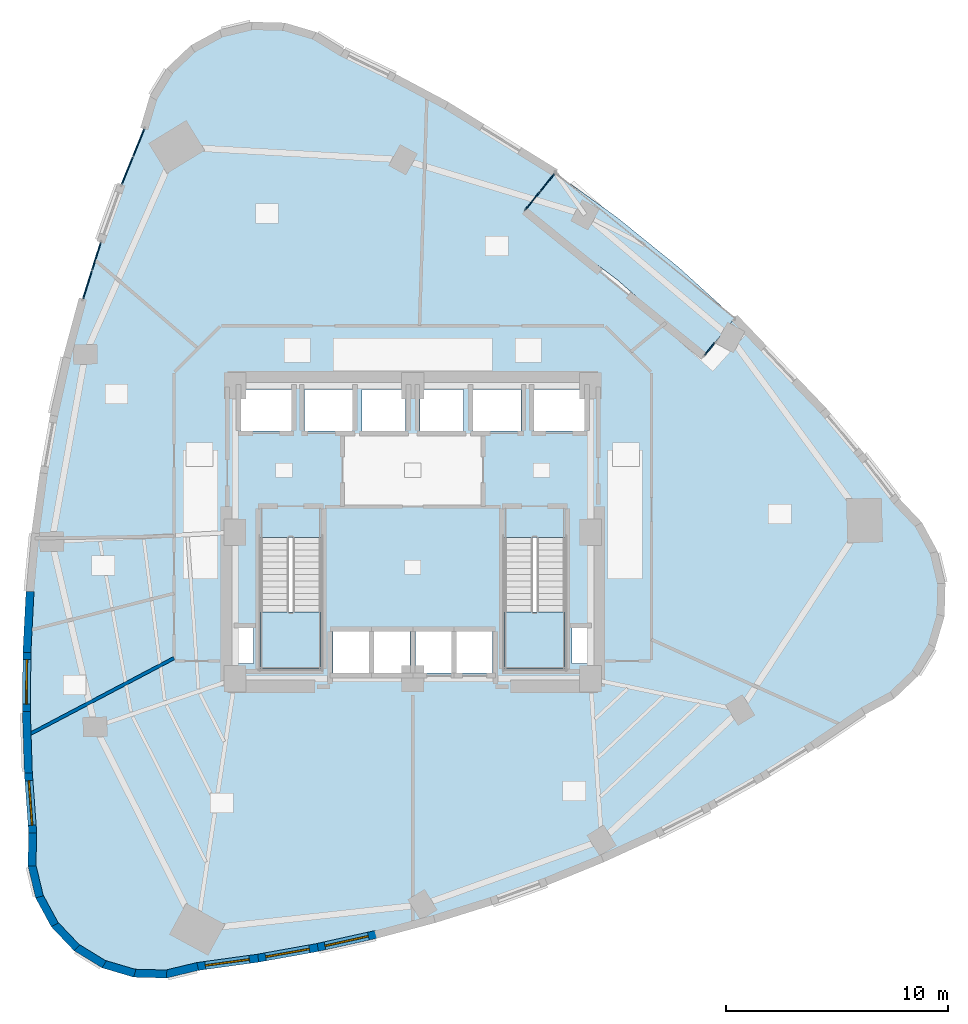
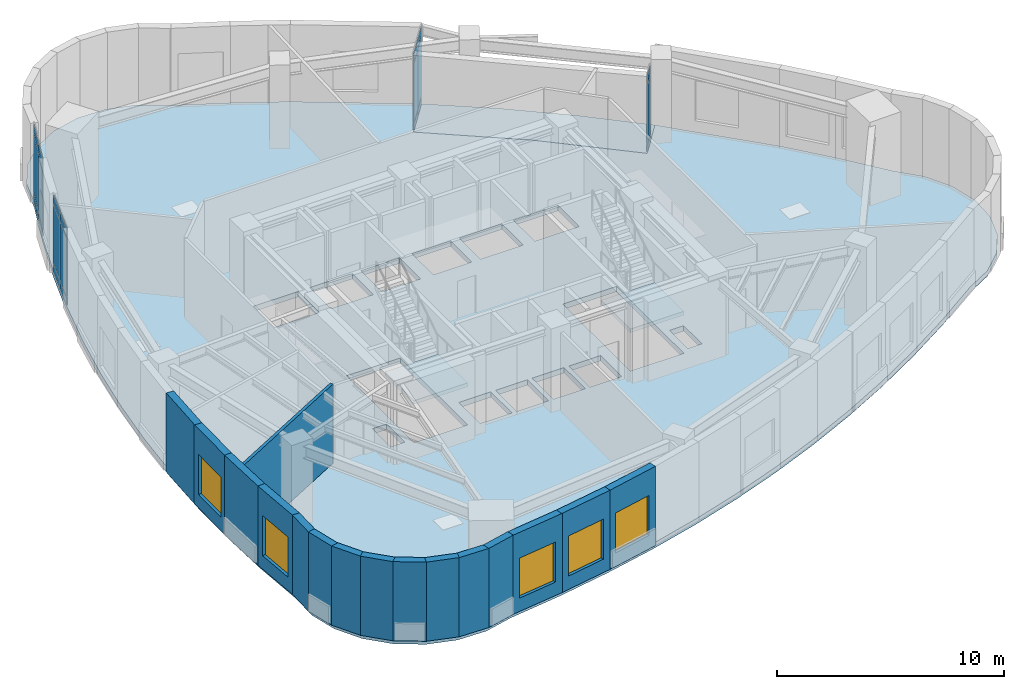
# One storey, part 10 of 16: 21 plates, 16 walls, 5 windows, 4 slabs, 5 openings, 6 elements without a shape of their own.
"""IFC4 building model written with IfcOpenShell, lengths in metres."""

from ifc_helpers import new_model, si_unit, direction, frame, frame_2d, origin, origin_2d, place, context, subcontext, project, spatial, polyline, rectangle, outline, extrude, material, layer, layer_set, type_object, element, fill, aggregate, save


model = new_model("IFC4")

# Units and contexts
model_context = context("Model", 3, precision=1e-05, world=origin(), true_north=direction((0.0, 1.0)))
body_context = subcontext(model_context, "Body", "Model", "MODEL_VIEW")
ifc_project = project(units=[si_unit("LENGTHUNIT", "METRE"), si_unit("AREAUNIT", "SQUARE_METRE"), si_unit("VOLUMEUNIT", "CUBIC_METRE"), si_unit("PLANEANGLEUNIT", "RADIAN"), si_unit("MASSUNIT", "GRAM", prefix="KILO")], contexts=[model_context])

# Site, building, storey
site_placement = place(None, origin())
site = spatial("IfcSite", under=ifc_project, at=site_placement, CompositionType="ELEMENT")
building_placement = place(site_placement, origin())
building = spatial("IfcBuilding", under=site, at=building_placement, Name="Ndelora Gate Hotel", CompositionType="ELEMENT")
storey_placement = place(building_placement, frame((0.0, 0.0, 92.75)))
storey = spatial("IfcBuildingStorey", under=building, at=storey_placement, Name="L22", CompositionType="ELEMENT", Elevation=92.75)

# Curtain wall, plates
ifc_material_1 = material(Name="Bronze Anodised Unitised Aluminium and Low-E Glass", Category="aluminium")
ifc_layer_1 = layer(ifc_material_1, 0.199951171875)
ifc_layer_set_1 = layer_set([ifc_layer_1], Name="Bronze Anodised Unitised Aluminium and Low-E Glass")
curtain_wall_type_1 = type_object("IfcCurtainWallType", Name="CW-SYS-3", PredefinedType="NOTDEFINED", material=ifc_layer_set_1)
curtain_wall_1_placement = place(storey_placement, origin())
curtain_wall_1 = element("IfcCurtainWall", 1, at=curtain_wall_1_placement, inside=storey, type_object=curtain_wall_type_1, Name="L22 Sky-Garden Loggia Side Curtain Wall CW3-1", PredefinedType="NOTDEFINED")
ifc_material_2 = material(Name="Solar-Control Low-E Insulated Glazing", Category="glass")
ifc_layer_2 = layer(ifc_material_2, 0.048095703125)
ifc_layer_set_2 = layer_set([ifc_layer_2], Name="Solar-Control Low-E Insulated Glazing")
plate_type = type_object("IfcPlateType", Name="PL-CW-GLZ36", PredefinedType="CURTAIN_PANEL", material=ifc_layer_set_2)
plate_1_placement = place(storey_placement, frame((13.3662109375, 8.242919921875, 0.05908203125), z_axis=(0.0, 0.0, 1.0), x_axis=(0.629355648382, 0.777117409308, 0.0)))
plate_1 = element("IfcPlate", 2, at=plate_1_placement, type_object=plate_type, Name="CW3 panel 1.1", PredefinedType="CURTAIN_PANEL", context=body_context, shape_type="SweptSolid", body=[
    extrude(rectangle(XDim=0.68603515625, YDim=0.048095703125, at=origin_2d()), origin(), (0.0, 0.0, 1.0), 0.364501953125),
])
plate_2_placement = place(storey_placement, frame((13.3662109375, 8.242919921875, 0.4765625), z_axis=(0.0, 0.0, 1.0), x_axis=(0.629355648382, 0.777117409308, 0.0)))
plate_2 = element("IfcPlate", 3, at=plate_2_placement, type_object=plate_type, Name="CW3 panel 1.2", PredefinedType="CURTAIN_PANEL", context=body_context, shape_type="SweptSolid", body=[
    extrude(rectangle(XDim=0.68603515625, YDim=0.048095703125, at=origin_2d()), origin(), (0.0, 0.0, 1.0), 3.197021484375),
])
plate_3_placement = place(storey_placement, frame((13.3662109375, 8.242919921875, 3.7265625), z_axis=(0.0, 0.0, 1.0), x_axis=(0.629355648382, 0.777117409308, 0.0)))
plate_3 = element("IfcPlate", 4, at=plate_3_placement, type_object=plate_type, Name="CW3 panel 1.3", PredefinedType="CURTAIN_PANEL", context=body_context, shape_type="SweptSolid", body=[
    extrude(rectangle(XDim=0.68603515625, YDim=0.048095703125, at=origin_2d()), origin(), (0.0, 0.0, 1.0), 0.464599609375),
])
aggregate(curtain_wall_1, [plate_1, plate_2, plate_3])

curtain_wall_2_placement = place(storey_placement, origin())
curtain_wall_2 = element("IfcCurtainWall", 5, at=curtain_wall_2_placement, inside=storey, type_object=curtain_wall_type_1, Name="L22 Sky-Garden Loggia Side Curtain Wall CW3-2", PredefinedType="NOTDEFINED")
plate_4_placement = place(storey_placement, frame((6.05908203125, 15.7451171875, 0.05908203125), z_axis=(0.0, 0.0, 1.0), x_axis=(-0.629323750841, -0.77714324074, 0.0)))
plate_4 = element("IfcPlate", 6, at=plate_4_placement, type_object=plate_type, Name="CW3 panel 1.1", PredefinedType="CURTAIN_PANEL", context=body_context, shape_type="SweptSolid", body=[
    extrude(rectangle(XDim=1.014404296875, YDim=0.048095703125, at=origin_2d()), origin(), (0.0, 0.0, 1.0), 0.364501953125),
])
plate_5_placement = place(storey_placement, frame((6.05908203125, 15.7451171875, 0.4765625), z_axis=(0.0, 0.0, 1.0), x_axis=(-0.629323750841, -0.77714324074, 0.0)))
plate_5 = element("IfcPlate", 7, at=plate_5_placement, type_object=plate_type, Name="CW3 panel 1.2", PredefinedType="CURTAIN_PANEL", context=body_context, shape_type="SweptSolid", body=[
    extrude(rectangle(XDim=1.014404296875, YDim=0.048095703125, at=origin_2d()), origin(), (0.0, 0.0, 1.0), 3.197021484375),
])
plate_6_placement = place(storey_placement, frame((6.05908203125, 15.7451171875, 3.7265625), z_axis=(0.0, 0.0, 1.0), x_axis=(-0.629323750841, -0.77714324074, 0.0)))
plate_6 = element("IfcPlate", 8, at=plate_6_placement, type_object=plate_type, Name="CW3 panel 1.3", PredefinedType="CURTAIN_PANEL", context=body_context, shape_type="SweptSolid", body=[
    extrude(rectangle(XDim=1.014404296875, YDim=0.048095703125, at=origin_2d()), origin(), (0.0, 0.0, 1.0), 0.464599609375),
])
plate_7_placement = place(storey_placement, frame((5.38720703125, 14.91552734375, 0.05908203125), z_axis=(0.0, 0.0, 1.0), x_axis=(-0.629323750841, -0.77714324074, 0.0)))
plate_7 = element("IfcPlate", 9, at=plate_7_placement, type_object=plate_type, Name="CW3 panel 2.1", PredefinedType="CURTAIN_PANEL", context=body_context, shape_type="SweptSolid", body=[
    extrude(rectangle(XDim=1.014404296875, YDim=0.048095703125, at=origin_2d()), origin(), (0.0, 0.0, 1.0), 0.364501953125),
])
plate_8_placement = place(storey_placement, frame((5.38720703125, 14.91552734375, 0.4765625), z_axis=(0.0, 0.0, 1.0), x_axis=(-0.629323750841, -0.77714324074, 0.0)))
plate_8 = element("IfcPlate", 10, at=plate_8_placement, type_object=plate_type, Name="CW3 panel 2.2", PredefinedType="CURTAIN_PANEL", context=body_context, shape_type="SweptSolid", body=[
    extrude(rectangle(XDim=1.014404296875, YDim=0.048095703125, at=origin_2d()), origin(), (0.0, 0.0, 1.0), 3.197021484375),
])
plate_9_placement = place(storey_placement, frame((5.38720703125, 14.91552734375, 3.7265625), z_axis=(0.0, 0.0, 1.0), x_axis=(-0.629323750841, -0.77714324074, 0.0)))
plate_9 = element("IfcPlate", 11, at=plate_9_placement, type_object=plate_type, Name="CW3 panel 2.3", PredefinedType="CURTAIN_PANEL", context=body_context, shape_type="SweptSolid", body=[
    extrude(rectangle(XDim=1.014404296875, YDim=0.048095703125, at=origin_2d()), origin(), (0.0, 0.0, 1.0), 0.464599609375),
])
aggregate(curtain_wall_2, [plate_4, plate_5, plate_6, plate_7, plate_8, plate_9])

ifc_layer_3 = layer(ifc_material_1, 0.2099609375)
ifc_layer_set_3 = layer_set([ifc_layer_3], Name="Bronze Anodised Unitised Aluminium and Low-E Glass")
curtain_wall_type_2 = type_object("IfcCurtainWallType", Name="CW-SYS-4", PredefinedType="NOTDEFINED", material=ifc_layer_set_3)
curtain_wall_3_placement = place(storey_placement, origin())
curtain_wall_3 = element("IfcCurtainWall", 12, at=curtain_wall_3_placement, inside=storey, type_object=curtain_wall_type_2, Name="L22 Lower Sky-Lobby & Highland Spa Curtain Wall 1", PredefinedType="NOTDEFINED")
plate_10_placement = place(storey_placement, frame((-12.345458984375, 17.545166015625, 0.05908203125), z_axis=(0.0, 0.0, 1.0), x_axis=(-0.377189908674, -0.926135936455, 0.0)))
plate_10 = element("IfcPlate", 13, at=plate_10_placement, type_object=plate_type, Name="CW4 panel 1.1", PredefinedType="CURTAIN_PANEL", context=body_context, shape_type="SweptSolid", body=[
    extrude(rectangle(XDim=1.31005859375, YDim=0.048095703125, at=origin_2d()), origin(), (0.0, 0.0, 1.0), 0.41455078125),
])
plate_11_placement = place(storey_placement, frame((-12.345458984375, 17.545166015625, 0.526611328125), z_axis=(0.0, 0.0, 1.0), x_axis=(-0.377189908674, -0.926135936455, 0.0)))
plate_11 = element("IfcPlate", 14, at=plate_11_placement, type_object=plate_type, Name="CW4 panel 1.2", PredefinedType="CURTAIN_PANEL", context=body_context, shape_type="SweptSolid", body=[
    extrude(rectangle(XDim=1.31005859375, YDim=0.048095703125, at=origin_2d()), origin(), (0.0, 0.0, 1.0), 3.14697265625),
])
plate_12_placement = place(storey_placement, frame((-12.345458984375, 17.545166015625, 3.7265625), z_axis=(0.0, 0.0, 1.0), x_axis=(-0.377189908674, -0.926135936455, 0.0)))
plate_12 = element("IfcPlate", 15, at=plate_12_placement, type_object=plate_type, Name="CW4 panel 1.3", PredefinedType="CURTAIN_PANEL", context=body_context, shape_type="SweptSolid", body=[
    extrude(rectangle(XDim=1.31005859375, YDim=0.048095703125, at=origin_2d()), origin(), (0.0, 0.0, 1.0), 0.464599609375),
])
plate_13_placement = place(storey_placement, frame((-12.859619140625, 16.28271484375, 0.05908203125), z_axis=(0.0, 0.0, 1.0), x_axis=(-0.377189908674, -0.926135936455, 0.0)))
plate_13 = element("IfcPlate", 16, at=plate_13_placement, type_object=plate_type, Name="CW4 panel 2.1", PredefinedType="CURTAIN_PANEL", context=body_context, shape_type="SweptSolid", body=[
    extrude(rectangle(XDim=1.31005859375, YDim=0.048095703125, at=origin_2d()), origin(), (0.0, 0.0, 1.0), 0.41455078125),
])
plate_14_placement = place(storey_placement, frame((-12.859619140625, 16.28271484375, 0.526611328125), z_axis=(0.0, 0.0, 1.0), x_axis=(-0.377189908674, -0.926135936455, 0.0)))
plate_14 = element("IfcPlate", 17, at=plate_14_placement, type_object=plate_type, Name="CW4 panel 2.2", PredefinedType="CURTAIN_PANEL", context=body_context, shape_type="SweptSolid", body=[
    extrude(rectangle(XDim=1.31005859375, YDim=0.048095703125, at=origin_2d()), origin(), (0.0, 0.0, 1.0), 3.14697265625),
])
plate_15_placement = place(storey_placement, frame((-12.859619140625, 16.28271484375, 3.7265625), z_axis=(0.0, 0.0, 1.0), x_axis=(-0.377189908674, -0.926135936455, 0.0)))
plate_15 = element("IfcPlate", 18, at=plate_15_placement, type_object=plate_type, Name="CW4 panel 2.3", PredefinedType="CURTAIN_PANEL", context=body_context, shape_type="SweptSolid", body=[
    extrude(rectangle(XDim=1.31005859375, YDim=0.048095703125, at=origin_2d()), origin(), (0.0, 0.0, 1.0), 0.464599609375),
])
aggregate(curtain_wall_3, [plate_10, plate_11, plate_12, plate_13, plate_14, plate_15])

curtain_wall_4_placement = place(storey_placement, origin())
curtain_wall_4 = element("IfcCurtainWall", 19, at=curtain_wall_4_placement, inside=storey, type_object=curtain_wall_type_2, Name="L22 Lower Sky-Lobby & Highland Spa Curtain Wall 2", PredefinedType="NOTDEFINED")
plate_16_placement = place(storey_placement, frame((-14.251708984375, 12.42236328125, 0.05908203125), z_axis=(0.0, 0.0, 1.0), x_axis=(-0.300093381343, -0.95390982932, 0.0)))
plate_16 = element("IfcPlate", 20, at=plate_16_placement, type_object=plate_type, Name="CW4 panel 1.1", PredefinedType="CURTAIN_PANEL", context=body_context, shape_type="SweptSolid", body=[
    extrude(rectangle(XDim=1.288818359375, YDim=0.048095703125, at=origin_2d()), origin(), (0.0, 0.0, 1.0), 0.41455078125),
])
plate_17_placement = place(storey_placement, frame((-14.251708984375, 12.42236328125, 0.526611328125), z_axis=(0.0, 0.0, 1.0), x_axis=(-0.300093381343, -0.95390982932, 0.0)))
plate_17 = element("IfcPlate", 21, at=plate_17_placement, type_object=plate_type, Name="CW4 panel 1.2", PredefinedType="CURTAIN_PANEL", context=body_context, shape_type="SweptSolid", body=[
    extrude(rectangle(XDim=1.288818359375, YDim=0.048095703125, at=origin_2d()), origin(), (0.0, 0.0, 1.0), 3.14697265625),
])
plate_18_placement = place(storey_placement, frame((-14.251708984375, 12.42236328125, 3.7265625), z_axis=(0.0, 0.0, 1.0), x_axis=(-0.300093381343, -0.95390982932, 0.0)))
plate_18 = element("IfcPlate", 22, at=plate_18_placement, type_object=plate_type, Name="CW4 panel 1.3", PredefinedType="CURTAIN_PANEL", context=body_context, shape_type="SweptSolid", body=[
    extrude(rectangle(XDim=1.288818359375, YDim=0.048095703125, at=origin_2d()), origin(), (0.0, 0.0, 1.0), 0.464599609375),
])
plate_19_placement = place(storey_placement, frame((-14.654541015625, 11.142333984375, 0.05908203125), z_axis=(0.0, 0.0, 1.0), x_axis=(-0.300093381343, -0.95390982932, 0.0)))
plate_19 = element("IfcPlate", 23, at=plate_19_placement, type_object=plate_type, Name="CW4 panel 2.1", PredefinedType="CURTAIN_PANEL", context=body_context, shape_type="SweptSolid", body=[
    extrude(rectangle(XDim=1.288818359375, YDim=0.048095703125, at=origin_2d()), origin(), (0.0, 0.0, 1.0), 0.41455078125),
])
plate_20_placement = place(storey_placement, frame((-14.654541015625, 11.142333984375, 0.526611328125), z_axis=(0.0, 0.0, 1.0), x_axis=(-0.300093381343, -0.95390982932, 0.0)))
plate_20 = element("IfcPlate", 24, at=plate_20_placement, type_object=plate_type, Name="CW4 panel 2.2", PredefinedType="CURTAIN_PANEL", context=body_context, shape_type="SweptSolid", body=[
    extrude(rectangle(XDim=1.288818359375, YDim=0.048095703125, at=origin_2d()), origin(), (0.0, 0.0, 1.0), 3.14697265625),
])
plate_21_placement = place(storey_placement, frame((-14.654541015625, 11.142333984375, 3.7265625), z_axis=(0.0, 0.0, 1.0), x_axis=(-0.300093381343, -0.95390982932, 0.0)))
plate_21 = element("IfcPlate", 25, at=plate_21_placement, type_object=plate_type, Name="CW4 panel 2.3", PredefinedType="CURTAIN_PANEL", context=body_context, shape_type="SweptSolid", body=[
    extrude(rectangle(XDim=1.288818359375, YDim=0.048095703125, at=origin_2d()), origin(), (0.0, 0.0, 1.0), 0.464599609375),
])
aggregate(curtain_wall_4, [plate_16, plate_17, plate_18, plate_19, plate_20, plate_21])

# Stair, slab
ifc_material_3 = material(Name="Precast concrete C40/50", Category="concrete")
stair_type = type_object("IfcStairType", Name="STR-DOG-CORE", PredefinedType="HALF_TURN_STAIR", material=ifc_material_3)
stair_1_placement = place(storey_placement, origin())
stair_1 = element("IfcStair", 26, at=stair_1_placement, inside=storey, type_object=stair_type, Name="L22 Protected Core Exit Stair ST4", PredefinedType="HALF_TURN_STAIR")
ifc_layer_4 = layer(ifc_material_3, 0.219970703125)
ifc_layer_set_4 = layer_set([ifc_layer_4], Name="Precast concrete C40/50")
slab_type_1 = type_object("IfcSlabType", Name="SL-LAND-220", PredefinedType="LANDING", material=ifc_layer_set_4)
slab_1_placement = place(storey_placement, frame((0.0, 0.0, 2.050048828125)))
slab_1 = element("IfcSlab", 27, at=slab_1_placement, type_object=slab_type_1, Name="ST4 landing 1", PredefinedType="LANDING", context=body_context, shape_type="SweptSolid", body=[
    extrude(outline(polyline([(-6.85009765625, -3.590087890625), (-6.85009765625, -6.14990234375), (-4.1298828125, -6.14990234375), (-4.1298828125, -3.590087890625), (-6.85009765625, -3.590087890625)])), origin(), (0.0, 0.0, 1.0), 0.199951171875),
])
aggregate(stair_1, [slab_1])

stair_2_placement = place(storey_placement, origin())
stair_2 = element("IfcStair", 28, at=stair_2_placement, inside=storey, type_object=stair_type, Name="L22 Protected Core Exit Stair ST5", PredefinedType="HALF_TURN_STAIR")
slab_2_placement = place(storey_placement, frame((0.0, 0.0, 2.050048828125)))
slab_2 = element("IfcSlab", 29, at=slab_2_placement, type_object=slab_type_1, Name="ST5 landing 1", PredefinedType="LANDING", context=body_context, shape_type="SweptSolid", body=[
    extrude(outline(polyline([(4.1298828125, -3.590087890625), (4.1298828125, -6.14990234375), (6.85009765625, -6.14990234375), (6.85009765625, -3.590087890625), (4.1298828125, -3.590087890625)])), origin(), (0.0, 0.0, 1.0), 0.199951171875),
])
aggregate(stair_2, [slab_2])

# Slabs
ifc_material_4 = material(Name="Concrete C50/60", Category="concrete")
ifc_layer_5 = layer(ifc_material_4, 0.2900390625)
ifc_layer_set_5 = layer_set([ifc_layer_5], Name="Concrete C50/60")
slab_type_2 = type_object("IfcSlabType", Name="SL-SKY-290", PredefinedType="FLOOR", material=ifc_layer_set_5)
slab_3_placement = place(storey_placement, frame((0.0, 0.0, -0.2900390625)))
element("IfcSlab", 30, at=slab_3_placement, inside=storey, type_object=slab_type_2, Name="L22 Structural Floor Slab", PredefinedType="FLOOR", context=body_context, shape_type="SweptSolid", body=[
    extrude(outline(polyline([(-3.190185546875, 21.601806640625), (-4.414306640625, 22.35205078125), (-5.791015625, 22.760009765625), (-7.226318359375, 22.79736328125), (-8.62255859375, 22.46240234375), (-9.88427734375, 21.777099609375), (-10.92578125, 20.788818359375), (-11.67578125, 19.564697265625), (-12.083740234375, 18.18798828125), (-13.12158203125, 15.639892578125), (-14.046630859375, 13.07421875), (-14.859619140625, 10.490478515625), (-15.559814453125, 7.88916015625), (-16.147705078125, 5.27001953125), (-16.623046875, 2.6328125), (-16.98583984375, -0.022216796875), (-17.236083984375, -2.69482421875), (-17.3740234375, -5.38525390625), (-17.3994140625, -8.093505859375), (-17.312255859375, -10.819580078125), (-17.11279296875, -13.563720703125), (-17.150390625, -14.9990234375), (-16.815185546875, -16.39501953125), (-16.1298828125, -17.656982421875), (-15.1416015625, -18.698486328125), (-13.91748046875, -19.448486328125), (-12.540771484375, -19.8564453125), (-11.10546875, -19.89404296875), (-9.70947265625, -19.558837890625), (-6.98388671875, -19.18359375), (-4.29931640625, -18.701904296875), (-1.6552734375, -18.114013671875), (0.94775390625, -17.419921875), (3.510009765625, -16.619140625), (6.031494140625, -15.71240234375), (8.511962890625, -14.69921875), (10.951904296875, -13.57958984375), (13.350830078125, -12.353759765625), (15.708984375, -11.021484375), (18.0263671875, -9.5830078125), (20.302734375, -8.0380859375), (21.564697265625, -7.35302734375), (22.606201171875, -6.36474609375), (23.356201171875, -5.140380859375), (23.76416015625, -3.763916015625), (23.8017578125, -2.32861328125), (23.466552734375, -0.9326171875), (22.781494140625, 0.329345703125), (21.793212890625, 1.370849609375), (20.17431640625, 3.458251953125), (18.4892578125, 5.46435546875), (14.497802734375, 9.640380859375), (13.11328125, 7.9306640625), (9.20703125, 11.369873046875), (5.031005859375, 14.4755859375), (6.415283203125, 16.185302734375), (1.500732421875, 19.221435546875), (-0.811767578125, 20.452392578125), (-3.190185546875, 21.601806640625)]), holes=[polyline([(-6.85009765625, -0.22998046875), (-6.85009765625, -6.14990234375), (-4.1298828125, -6.14990234375), (-4.1298828125, -0.22998046875), (-6.85009765625, -0.22998046875)]), polyline([(4.1298828125, -0.22998046875), (4.1298828125, -6.14990234375), (6.85009765625, -6.14990234375), (6.85009765625, -0.22998046875), (4.1298828125, -0.22998046875)]), polyline([(-7.72998046875, 4.570068359375), (-5.469970703125, 4.570068359375), (-5.469970703125, 6.429931640625), (-7.72998046875, 6.429931640625), (-7.72998046875, 4.570068359375)]), polyline([(5.469970703125, 4.570068359375), (7.72998046875, 4.570068359375), (7.72998046875, 6.429931640625), (5.469970703125, 6.429931640625), (5.469970703125, 4.570068359375)]), polyline([(-4.8798828125, 4.570068359375), (-2.719970703125, 4.570068359375), (-2.719970703125, 6.429931640625), (-4.8798828125, 6.429931640625), (-4.8798828125, 4.570068359375)]), polyline([(2.719970703125, 4.570068359375), (4.8798828125, 4.570068359375), (4.8798828125, 6.429931640625), (2.719970703125, 6.429931640625), (2.719970703125, 4.570068359375)]), polyline([(-3.60009765625, -6.330078125), (-1.97998046875, -6.330078125), (-1.97998046875, -4.469970703125), (-3.60009765625, -4.469970703125), (-3.60009765625, -6.330078125)]), polyline([(-1.739990234375, -6.330078125), (-0.1201171875, -6.330078125), (-0.1201171875, -4.469970703125), (-1.739990234375, -4.469970703125), (-1.739990234375, -6.330078125)]), polyline([(0.1201171875, -6.330078125), (1.739990234375, -6.330078125), (1.739990234375, -4.469970703125), (0.1201171875, -4.469970703125), (0.1201171875, -6.330078125)]), polyline([(1.97998046875, -6.330078125), (3.60009765625, -6.330078125), (3.60009765625, -4.469970703125), (1.97998046875, -4.469970703125), (1.97998046875, -6.330078125)]), polyline([(-2.280029296875, 4.570068359375), (-0.320068359375, 4.570068359375), (-0.320068359375, 6.429931640625), (-2.280029296875, 6.429931640625), (-2.280029296875, 4.570068359375)]), polyline([(0.320068359375, 4.570068359375), (2.280029296875, 4.570068359375), (2.280029296875, 6.429931640625), (0.320068359375, 6.429931640625), (0.320068359375, 4.570068359375)]), polyline([(-7.89990234375, -5.919921875), (-7.179931640625, -5.919921875), (-7.179931640625, -4.320068359375), (-7.89990234375, -4.320068359375), (-7.89990234375, -5.919921875)]), polyline([(7.179931640625, -5.919921875), (7.89990234375, -5.919921875), (7.89990234375, -4.320068359375), (7.179931640625, -4.320068359375), (7.179931640625, -5.919921875)])]), origin(), (0.0, 0.0, 1.0), 0.2900390625),
])
ifc_layer_6 = layer(ifc_material_3, 0.239990234375)
ifc_layer_set_6 = layer_set([ifc_layer_6], Name="Precast concrete C40/50")
slab_type_3 = type_object("IfcSlabType", Name="SL-TER-240", PredefinedType="FLOOR", material=ifc_layer_set_6)
slab_4_placement = place(storey_placement, frame((0.0, 0.0, -0.239990234375)))
element("IfcSlab", 31, at=slab_4_placement, inside=storey, type_object=slab_type_3, Name="L22 Sky Garden Loggia Terrace Slab", PredefinedType="FLOOR", context=body_context, shape_type="SweptSolid", body=[
    extrude(outline(polyline([(13.11328125, 7.9306640625), (14.497802734375, 9.640380859375), (11.949951171875, 11.947509765625), (9.201904296875, 14.1728515625), (6.415283203125, 16.185302734375), (5.031005859375, 14.4755859375), (9.20703125, 11.369873046875), (13.11328125, 7.9306640625)])), origin(), (0.0, 0.0, 1.0), 0.239990234375),
])

# Wall
ifc_material_5 = material(Name="Clay Brick Masonry", Category="masonry")
ifc_layer_7 = layer(ifc_material_5, 0.360107421875)
ifc_layer_set_7 = layer_set([ifc_layer_7], Name="Clay Brick Masonry")
wall_type_1 = type_object("IfcWallType", Name="WL-BRICK-360", PredefinedType="SOLIDWALL", material=ifc_layer_set_7)
wall_1_placement = place(storey_placement, frame((-17.375244140625, -5.410400390625, 0.0), z_axis=(0.0, 0.0, 1.0), x_axis=(0.051157869298, 0.998690578913, 0.0)))
element("IfcWall", 32, at=wall_1_placement, inside=storey, type_object=wall_type_1, Name="L22 Tower Brick Pier-and-Spandrel Wall TWR-17", PredefinedType="SOLIDWALL", context=body_context, shape_type="SweptSolid", body=[
    extrude(rectangle(XDim=2.744140625, YDim=0.360107421875, at=frame_2d((1.3720703125, 0.0))), origin(), (0.0, 0.0, 1.0), 4.25),
])

# Wall, opening, window
wall_2_placement = place(storey_placement, frame((-17.399658203125, -8.11865234375, 0.0), z_axis=(0.0, 0.0, 1.0), x_axis=(0.009381778629, 0.999955990146, 0.0)))
wall_2 = element("IfcWall", 33, at=wall_2_placement, inside=storey, type_object=wall_type_1, Name="L22 Tower Brick Pier-and-Spandrel Wall TWR-18", PredefinedType="SOLIDWALL", context=body_context, shape_type="SweptSolid", body=[
    extrude(rectangle(XDim=2.75830078125, YDim=0.360107421875, at=frame_2d((1.379150390625, 0.0))), origin(), (0.0, 0.0, 1.0), 4.25),
])
opening_1_placement = place(wall_2_placement, frame((0.379150390625, 0.0, 0.719970703125)))
opening_1 = element("IfcOpeningElement", 34, at=opening_1_placement, cuts=wall_2, Name="Opening W05", PredefinedType="OPENING", context=body_context, shape_type="SweptSolid", body=[
    extrude(rectangle(XDim=2.0, YDim=2.14990234375, at=frame_2d((1.0, 1.074951171875))), frame((0.0, 0.18994140625, 0.0), z_axis=(0.0, -1.0, 0.0), x_axis=(1.0, 0.0, 0.0)), (0.0, 0.0, 1.0), 0.380126953125),
])
ifc_material_6 = material(Name="Insulated Low-E Double Glazing in Bronze Aluminium Frame", Category="aluminium")
window_type = type_object("IfcWindowType", Name="WN-SKY-2000", PartitioningType="SINGLE_PANEL", PredefinedType="WINDOW", material=ifc_material_6)
window_1_placement = place(opening_1_placement, origin())
window_1 = element("IfcWindow", 35, at=window_1_placement, inside=storey, type_object=window_type, Name="L22 Deep-Set Brick-Pier Window W05", OverallHeight=2.14990234375, OverallWidth=2.0, PartitioningType="SINGLE_PANEL", PredefinedType="WINDOW", context=body_context, shape_type="SweptSolid", body=[
    extrude(rectangle(XDim=2.0, YDim=2.14990234375, at=frame_2d((1.0, 1.074951171875))), frame((0.0, 0.030029296875, 0.0), z_axis=(0.0, -1.0, 0.0), x_axis=(1.0, 0.0, 0.0)), (0.0, 0.0, 1.0), 0.06005859375),
])
fill(opening_1, window_1)

# Wall
wall_3_placement = place(storey_placement, frame((-17.3115234375, -10.8447265625, 0.0), z_axis=(0.0, 0.0, 1.0), x_axis=(-0.031907059623, 0.999490840151, 0.0)))
element("IfcWall", 36, at=wall_3_placement, inside=storey, type_object=wall_type_1, Name="L22 Tower Brick Pier-and-Spandrel Wall TWR-19", PredefinedType="SOLIDWALL", context=body_context, shape_type="SweptSolid", body=[
    extrude(rectangle(XDim=2.777587890625, YDim=0.360107421875, at=frame_2d((1.388671875, 0.0))), origin(), (0.0, 0.0, 1.0), 4.25),
])

# Wall, opening, window
wall_4_placement = place(storey_placement, frame((-17.11083984375, -13.588623046875, 0.0), z_axis=(0.0, 0.0, 1.0), x_axis=(-0.072603479606, 0.99736088491, 0.0)))
wall_4 = element("IfcWall", 37, at=wall_4_placement, inside=storey, type_object=wall_type_1, Name="L22 Tower Brick Pier-and-Spandrel Wall TWR-20", PredefinedType="SOLIDWALL", context=body_context, shape_type="SweptSolid", body=[
    extrude(rectangle(XDim=2.801025390625, YDim=0.360107421875, at=frame_2d((1.400390625, 0.0))), origin(), (0.0, 0.0, 1.0), 4.25),
])
opening_2_placement = place(wall_4_placement, frame((0.400634765625, 0.0, 0.719970703125)))
opening_2 = element("IfcOpeningElement", 38, at=opening_2_placement, cuts=wall_4, Name="Opening W05", PredefinedType="OPENING", context=body_context, shape_type="SweptSolid", body=[
    extrude(rectangle(XDim=2.0, YDim=2.14990234375, at=frame_2d((1.0, 1.074951171875))), frame((0.0, 0.18994140625, 0.0), z_axis=(0.0, -1.0, 0.0), x_axis=(1.0, 0.0, 0.0)), (0.0, 0.0, 1.0), 0.380126953125),
])
window_2_placement = place(opening_2_placement, origin())
window_2 = element("IfcWindow", 39, at=window_2_placement, inside=storey, type_object=window_type, Name="L22 Deep-Set Brick-Pier Window W05", OverallHeight=2.14990234375, OverallWidth=2.0, PartitioningType="SINGLE_PANEL", PredefinedType="WINDOW", context=body_context, shape_type="SweptSolid", body=[
    extrude(rectangle(XDim=2.0, YDim=2.14990234375, at=frame_2d((1.0, 1.074951171875))), frame((0.0, 0.030029296875, 0.0), z_axis=(0.0, -1.0, 0.0), x_axis=(1.0, 0.0, 0.0)), (0.0, 0.0, 1.0), 0.06005859375),
])
fill(opening_2, window_2)

# Walls
wall_5_placement = place(storey_placement, frame((-17.15087890625, -15.02392578125, 0.0), z_axis=(0.0, 0.0, 1.0), x_axis=(0.026129494011, 0.999658566483, 0.0)))
element("IfcWall", 40, at=wall_5_placement, inside=storey, type_object=wall_type_1, Name="L22 Tower Brick Pier-and-Spandrel Wall TWR-21", PredefinedType="SOLIDWALL", context=body_context, shape_type="SweptSolid", body=[
    extrude(rectangle(XDim=1.485595703125, YDim=0.360107421875, at=frame_2d((0.74267578125, 0.0))), origin(), (0.0, 0.0, 1.0), 4.25),
])
for number, where, z_axis, x_axis, name in (
    (41, (-16.809326171875, -16.41943359375, 0.0), (0.0, 0.0, 1.0), (-0.233323235941, 0.972399232605, 0.0), "L22 Tower Brick Pier-and-Spandrel Wall TWR-22"),
    (42, (-16.1181640625, -17.678955078125, 0.0), (0.0, 0.0, 1.0), (-0.476997582812, 0.87890460574, 0.0), "L22 Tower Brick Pier-and-Spandrel Wall TWR-23"),
):
    element("IfcWall", number, at=place(storey_placement, frame(where, z_axis=z_axis, x_axis=x_axis)), inside=storey, type_object=wall_type_1, Name=name, PredefinedType="SOLIDWALL", context=body_context, shape_type="SweptSolid", body=[
        extrude(rectangle(XDim=1.48583984375, YDim=0.360107421875, at=frame_2d((0.742919921875, 0.0))), origin(), (0.0, 0.0, 1.0), 4.25),
    ])
wall_6_placement = place(storey_placement, frame((-15.12451171875, -18.716552734375, 0.0), z_axis=(0.0, 0.0, 1.0), x_axis=(-0.688377955726, 0.725352183474, 0.0)))
element("IfcWall", 43, at=wall_6_placement, inside=storey, type_object=wall_type_1, Name="L22 Tower Brick Pier-and-Spandrel Wall TWR-24", PredefinedType="SOLIDWALL", context=body_context, shape_type="SweptSolid", body=[
    extrude(rectangle(XDim=1.485595703125, YDim=0.360107421875, at=frame_2d((0.74267578125, 0.0))), origin(), (0.0, 0.0, 1.0), 4.25),
])
wall_7_placement = place(storey_placement, frame((-13.89599609375, -19.461669921875, 0.0), z_axis=(0.0, 0.0, 1.0), x_axis=(-0.852672081239, 0.522446477522, 0.0)))
element("IfcWall", 44, at=wall_7_placement, inside=storey, type_object=wall_type_1, Name="L22 Tower Brick Pier-and-Spandrel Wall TWR-25", PredefinedType="SOLIDWALL", context=body_context, shape_type="SweptSolid", body=[
    extrude(rectangle(XDim=1.486083984375, YDim=0.360107421875, at=frame_2d((0.7431640625, 0.0))), origin(), (0.0, 0.0, 1.0), 4.25),
])
for number, where, z_axis, x_axis, name in (
    (45, (-12.516845703125, -19.863525390625, 0.0), (0.0, 0.0, 1.0), (-0.95879313952, 0.284105113664, 0.0), "L22 Tower Brick Pier-and-Spandrel Wall TWR-26"),
    (46, (-11.08056640625, -19.894775390625, 0.0), (0.0, 0.0, 1.0), (-0.999654374037, 0.026289398397, 0.0), "L22 Tower Brick Pier-and-Spandrel Wall TWR-27"),
    (47, (-9.68505859375, -19.552978515625, 0.0), (0.0, 0.0, 1.0), (-0.972361941937, -0.233478594034, 0.0), "L22 Tower Brick Pier-and-Spandrel Wall TWR-28"),
):
    element("IfcWall", number, at=place(storey_placement, frame(where, z_axis=z_axis, x_axis=x_axis)), inside=storey, type_object=wall_type_1, Name=name, PredefinedType="SOLIDWALL", context=body_context, shape_type="SweptSolid", body=[
        extrude(rectangle(XDim=1.48583984375, YDim=0.360107421875, at=frame_2d((0.742919921875, 0.0))), origin(), (0.0, 0.0, 1.0), 4.25),
    ])

# Wall, opening, window
wall_8_placement = place(storey_placement, frame((-6.958984375, -19.18017578125, 0.0), z_axis=(0.0, 0.0, 1.0), x_axis=(-0.990654861438, -0.136392615303, 0.0)))
wall_8 = element("IfcWall", 48, at=wall_8_placement, inside=storey, type_object=wall_type_1, Name="L22 Tower Brick Pier-and-Spandrel Wall TWR-29", PredefinedType="SOLIDWALL", context=body_context, shape_type="SweptSolid", body=[
    extrude(rectangle(XDim=2.80126953125, YDim=0.360107421875, at=frame_2d((1.400634765625, 0.0))), origin(), (0.0, 0.0, 1.0), 4.25),
])
opening_3_placement = place(wall_8_placement, frame((0.400634765625, 0.0, 0.719970703125)))
opening_3 = element("IfcOpeningElement", 49, at=opening_3_placement, cuts=wall_8, Name="Opening W05", PredefinedType="OPENING", context=body_context, shape_type="SweptSolid", body=[
    extrude(rectangle(XDim=2.0, YDim=2.14990234375, at=frame_2d((1.0, 1.074951171875))), frame((0.0, 0.18994140625, 0.0), z_axis=(0.0, -1.0, 0.0), x_axis=(1.0, 0.0, 0.0)), (0.0, 0.0, 1.0), 0.380126953125),
])
window_3_placement = place(opening_3_placement, origin())
window_3 = element("IfcWindow", 50, at=window_3_placement, inside=storey, type_object=window_type, Name="L22 Deep-Set Brick-Pier Window W05", OverallHeight=2.14990234375, OverallWidth=2.0, PartitioningType="SINGLE_PANEL", PredefinedType="WINDOW", context=body_context, shape_type="SweptSolid", body=[
    extrude(rectangle(XDim=2.0, YDim=2.14990234375, at=frame_2d((1.0, 1.074951171875))), frame((0.0, 0.030029296875, 0.0), z_axis=(0.0, -1.0, 0.0), x_axis=(1.0, 0.0, 0.0)), (0.0, 0.0, 1.0), 0.06005859375),
])
fill(opening_3, window_3)

wall_9_placement = place(storey_placement, frame((-4.274658203125, -18.697509765625, 0.0), z_axis=(0.0, 0.0, 1.0), x_axis=(-0.984284920637, -0.176587641147, 0.0)))
wall_9 = element("IfcWall", 51, at=wall_9_placement, inside=storey, type_object=wall_type_1, Name="L22 Tower Brick Pier-and-Spandrel Wall TWR-30", PredefinedType="SOLIDWALL", context=body_context, shape_type="SweptSolid", body=[
    extrude(rectangle(XDim=2.777587890625, YDim=0.360107421875, at=frame_2d((1.388671875, 0.0))), origin(), (0.0, 0.0, 1.0), 4.25),
])
opening_4_placement = place(wall_9_placement, frame((0.388916015625, 0.0, 0.719970703125)))
opening_4 = element("IfcOpeningElement", 52, at=opening_4_placement, cuts=wall_9, Name="Opening W05", PredefinedType="OPENING", context=body_context, shape_type="SweptSolid", body=[
    extrude(rectangle(XDim=2.0, YDim=2.14990234375, at=frame_2d((1.0, 1.074951171875))), frame((0.0, 0.18994140625, 0.0), z_axis=(0.0, -1.0, 0.0), x_axis=(1.0, 0.0, 0.0)), (0.0, 0.0, 1.0), 0.380126953125),
])
window_4_placement = place(opening_4_placement, origin())
window_4 = element("IfcWindow", 53, at=window_4_placement, inside=storey, type_object=window_type, Name="L22 Deep-Set Brick-Pier Window W05", OverallHeight=2.14990234375, OverallWidth=2.0, PartitioningType="SINGLE_PANEL", PredefinedType="WINDOW", context=body_context, shape_type="SweptSolid", body=[
    extrude(rectangle(XDim=2.0, YDim=2.14990234375, at=frame_2d((1.0, 1.074951171875))), frame((0.0, 0.030029296875, 0.0), z_axis=(0.0, -1.0, 0.0), x_axis=(1.0, 0.0, 0.0)), (0.0, 0.0, 1.0), 0.06005859375),
])
fill(opening_4, window_4)

wall_10_placement = place(storey_placement, frame((-1.630859375, -18.108642578125, 0.0), z_axis=(0.0, 0.0, 1.0), x_axis=(-0.976166230028, -0.217024172276, 0.0)))
wall_10 = element("IfcWall", 54, at=wall_10_placement, inside=storey, type_object=wall_type_1, Name="L22 Tower Brick Pier-and-Spandrel Wall TWR-31", PredefinedType="SOLIDWALL", context=body_context, shape_type="SweptSolid", body=[
    extrude(rectangle(XDim=2.75830078125, YDim=0.360107421875, at=frame_2d((1.379150390625, 0.0))), origin(), (0.0, 0.0, 1.0), 4.25),
])
opening_5_placement = place(wall_10_placement, frame((0.379150390625, 0.0, 0.719970703125)))
opening_5 = element("IfcOpeningElement", 55, at=opening_5_placement, cuts=wall_10, Name="Opening W05", PredefinedType="OPENING", context=body_context, shape_type="SweptSolid", body=[
    extrude(rectangle(XDim=2.0, YDim=2.14990234375, at=frame_2d((1.0, 1.074951171875))), frame((0.0, 0.18994140625, 0.0), z_axis=(0.0, -1.0, 0.0), x_axis=(1.0, 0.0, 0.0)), (0.0, 0.0, 1.0), 0.380126953125),
])
window_5_placement = place(opening_5_placement, origin())
window_5 = element("IfcWindow", 56, at=window_5_placement, inside=storey, type_object=window_type, Name="L22 Deep-Set Brick-Pier Window W05", OverallHeight=2.14990234375, OverallWidth=2.0, PartitioningType="SINGLE_PANEL", PredefinedType="WINDOW", context=body_context, shape_type="SweptSolid", body=[
    extrude(rectangle(XDim=2.0, YDim=2.14990234375, at=frame_2d((1.0, 1.074951171875))), frame((0.0, 0.030029296875, 0.0), z_axis=(0.0, -1.0, 0.0), x_axis=(1.0, 0.0, 0.0)), (0.0, 0.0, 1.0), 0.06005859375),
])
fill(opening_5, window_5)

# Wall
ifc_material_7 = material(Name="Fire-Rated Gypsum Stud Partition", Category="gypsum")
ifc_layer_8 = layer(ifc_material_7, 0.14990234375)
ifc_layer_set_8 = layer_set([ifc_layer_8], Name="Fire-Rated Gypsum Stud Partition")
wall_type_2 = type_object("IfcWallType", Name="WL-PART-150", PredefinedType="PARTITIONING", material=ifc_layer_set_8)
wall_11_placement = place(storey_placement, frame((-10.75, -5.667724609375, 0.0), z_axis=(0.0, 0.0, 1.0), x_axis=(-0.884575956978, -0.466396158149, 0.0)))
element("IfcWall", 57, at=wall_11_placement, inside=storey, type_object=wall_type_2, Name="L22 Interior Wall IW-5", PredefinedType="PARTITIONING", context=body_context, shape_type="SweptSolid", body=[
    extrude(rectangle(XDim=7.478759765625, YDim=0.14990234375, at=frame_2d((3.7392578125, 0.0))), origin(), (0.0, 0.0, 1.0), 4.25),
])

save(model, "model.ifc")
